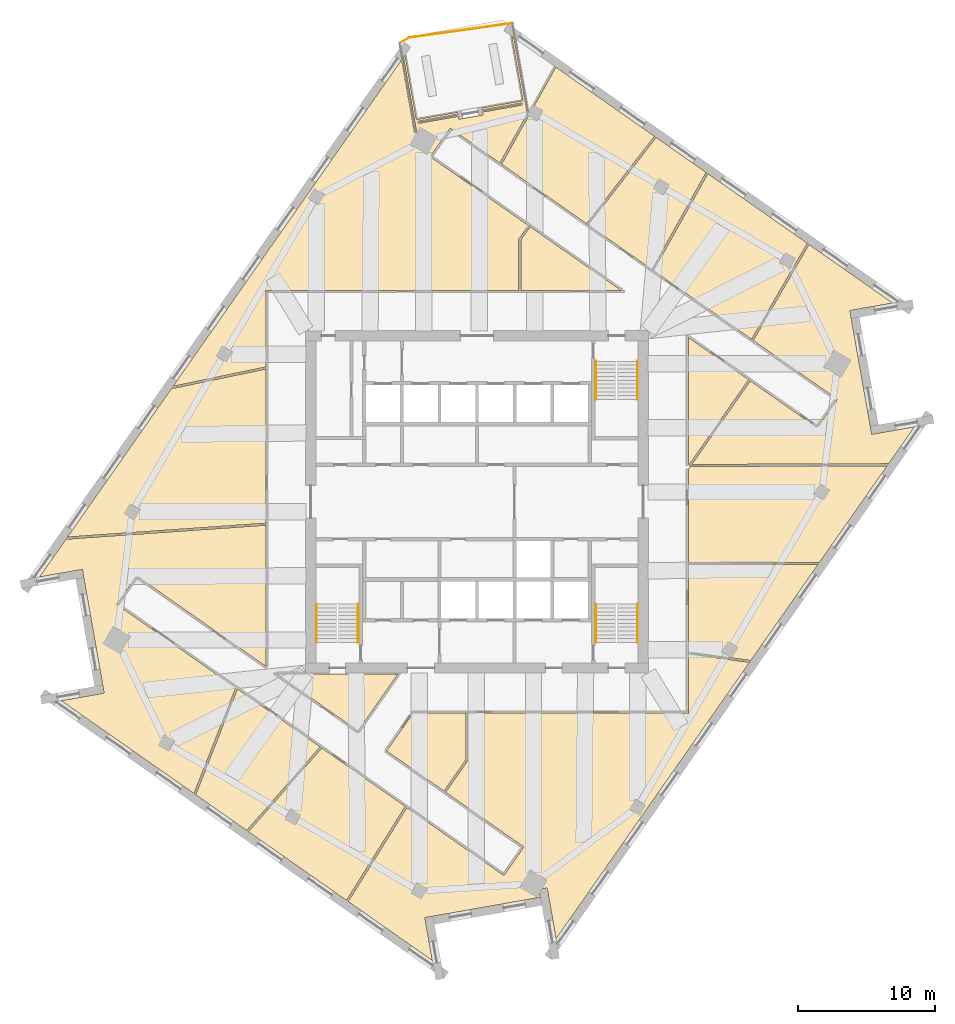
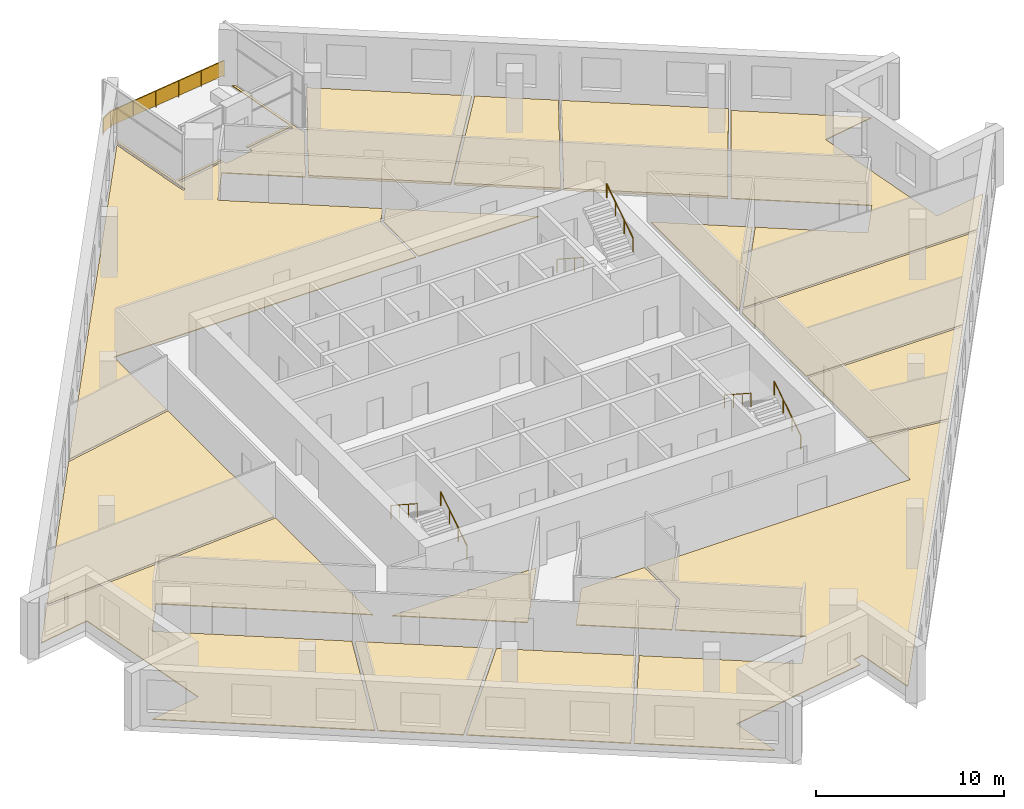
# One storey, part 12 of 13: 16 coverings, 7 railings.
"""IFC4 building model written with IfcOpenShell, lengths in metres."""

import ifcopenshell
import ifcopenshell.guid

model = None  # the IFC model being written
_history = None  # IfcOwnerHistory: only IFC2X3 demands one
_inside = {}  # id of a spatial element -> (the spatial element, [elements in it])
_under = {}  # id of a project, library or spatial element -> (it, [spatial elements below it])
_declared = {}  # id of a project -> (the project, [libraries it declares])
_typed = {}  # id of a type object -> (the type object, [elements of that type])
_made_of = {}  # id of a material, layer set ... -> (it, [elements and type objects made of it])


def new_model(schema):
    """Start an empty IFC model of exactly this schema.

    Asked for "IFC4X3", IfcOpenShell would pick the latest addendum, in which some entities
    have other attributes; the version numbers below select the first issue.
    IFC2X3 requires an IfcOwnerHistory on every rooted entity: one is made here for all.
    """
    global model, _history
    if schema == "IFC4X3":
        model = ifcopenshell.file(schema_version=(4, 3, 0, 0))
    else:
        model = ifcopenshell.file(schema=schema)
    _inside.clear()
    _under.clear()
    _declared.clear()
    _typed.clear()
    _made_of.clear()
    _history = None
    if model.schema == "IFC2X3":
        org = make("IfcOrganization", Name="unknown")
        user = make(
            "IfcPersonAndOrganization",
            ThePerson=make("IfcPerson", FamilyName="unknown"),
            TheOrganization=org,
        )
        app = make(
            "IfcApplication",
            ApplicationDeveloper=org,
            Version="unknown",
            ApplicationFullName="unknown",
            ApplicationIdentifier="unknown",
        )
        _history = make(
            "IfcOwnerHistory",
            OwningUser=user,
            OwningApplication=app,
            ChangeAction="ADDED",
            CreationDate=0,
        )
    return model


def make(cls, **values):
    """One entity of the class cls with the attributes given. An attribute that is None is left unset."""
    return model.create_entity(
        cls, **{name: value for name, value in values.items() if value is not None}
    )


def rooted(cls, **values):
    """An entity with a GlobalId (a new one), such as an element, a storey or a relation."""
    return make(cls, GlobalId=ifcopenshell.guid.new(), OwnerHistory=_history, **values)


def si_unit(unit_type, name, prefix=None):
    """IfcSIUnit, for example si_unit("LENGTHUNIT", "METRE", prefix="MILLI")."""
    return make("IfcSIUnit", UnitType=unit_type, Prefix=prefix, Name=name)


def assignment(units):
    """IfcUnitAssignment: the units of a project."""
    return None if units is None else make("IfcUnitAssignment", Units=units)


def point(xyz):
    """IfcCartesianPoint."""
    return None if xyz is None else make("IfcCartesianPoint", Coordinates=xyz)


def direction(xyz):
    """IfcDirection."""
    return None if xyz is None else make("IfcDirection", DirectionRatios=xyz)


def frame(location, z_axis=None, x_axis=None):
    """IfcAxis2Placement3D, a coordinate frame: its origin and axes. An axis left out is left unset."""
    return make(
        "IfcAxis2Placement3D",
        Location=point(location),
        Axis=direction(z_axis),
        RefDirection=direction(x_axis),
    )


def frame_2d(location, x_axis=None):
    """IfcAxis2Placement2D, a coordinate frame in the plane: its origin and x axis."""
    return make(
        "IfcAxis2Placement2D", Location=point(location), RefDirection=direction(x_axis)
    )


def origin():
    """The frame at (0, 0, 0) with its axes left unset."""
    return frame((0.0, 0.0, 0.0))


def origin_2d():
    """The frame at (0, 0) in the plane with its x axis left unset."""
    return frame_2d((0.0, 0.0))


def place(relative_to, where):
    """IfcLocalPlacement: puts the frame where relative to a parent placement (None: the world)."""
    return make(
        "IfcLocalPlacement", PlacementRelTo=relative_to, RelativePlacement=where
    )


def context(
    kind, dimensions, precision=None, world=None, true_north=None, identifier=None
):
    """IfcGeometricRepresentationContext, for example the 3D "Model" context."""
    return make(
        "IfcGeometricRepresentationContext",
        ContextIdentifier=identifier,
        ContextType=kind,
        CoordinateSpaceDimension=dimensions,
        Precision=precision,
        WorldCoordinateSystem=world,
        TrueNorth=true_north,
    )


def subcontext(parent, identifier, kind, view, scale=None):
    """IfcGeometricRepresentationSubContext, for example "Body" below "Model"."""
    return make(
        "IfcGeometricRepresentationSubContext",
        ContextIdentifier=identifier,
        ContextType=kind,
        ParentContext=parent,
        TargetScale=scale,
        TargetView=view,
    )


def project(units=None, contexts=None):
    """IfcProject with its units and contexts."""
    return rooted(
        "IfcProject",
        Name="project",
        RepresentationContexts=contexts,
        UnitsInContext=assignment(units),
    )


def spatial(cls, under=None, at=None, **own):
    """A site, building, storey or space (cls), placed at a placement, below another one or the project."""
    s = rooted(cls, ObjectPlacement=at, **own)
    if under is not None:
        _under.setdefault(under.id(), (under, []))[1].append(s)
    return s


def polyline(points):
    """IfcPolyline through the points."""
    return make("IfcPolyline", Points=[point(p) for p in points])


def profile(cls, at=None, kind="AREA", **sizes):
    """A parametric profile (cls). Its sizes go by their IFC names, for example OverallWidth=200.0."""
    return make(cls, ProfileType=kind, Position=at, **sizes)


def rectangle(**sizes):
    """IfcRectangleProfileDef."""
    return profile("IfcRectangleProfileDef", **sizes)


def circle(**sizes):
    """IfcCircleProfileDef."""
    return profile("IfcCircleProfileDef", **sizes)


def outline(outer, holes=None, kind="AREA"):
    """IfcArbitraryClosedProfileDef: a profile drawn as a closed curve; with holes, ...WithVoids."""
    if holes is None:
        return make("IfcArbitraryClosedProfileDef", ProfileType=kind, OuterCurve=outer)
    return make(
        "IfcArbitraryProfileDefWithVoids",
        ProfileType=kind,
        OuterCurve=outer,
        InnerCurves=holes,
    )


def extrude(swept, where, along, depth):
    """IfcExtrudedAreaSolid: the profile swept, set in the frame where, extruded along a direction by depth."""
    return make(
        "IfcExtrudedAreaSolid",
        SweptArea=swept,
        Position=where,
        ExtrudedDirection=direction(along),
        Depth=depth,
    )


def shape(context_of_items, identifier, shape_type, items):
    """IfcShapeRepresentation: the items that make up one representation, for example the "Body"."""
    return make(
        "IfcShapeRepresentation",
        ContextOfItems=context_of_items,
        RepresentationIdentifier=identifier,
        RepresentationType=shape_type,
        Items=items,
    )


def material(Name=None, Category=None):
    """IfcMaterial."""
    return make("IfcMaterial", Name=Name, Category=Category)


def layer(
    of_material, thickness, ventilated=None, Name=None, Category=None, Priority=None
):
    """IfcMaterialLayer: one layer of a wall or slab, of a material (None: an air gap)."""
    return make(
        "IfcMaterialLayer",
        Material=of_material,
        LayerThickness=thickness,
        IsVentilated=ventilated,
        Name=Name,
        Category=Category,
        Priority=Priority,
    )


def layer_set(layers, Name=None):
    """IfcMaterialLayerSet."""
    return make("IfcMaterialLayerSet", MaterialLayers=layers, LayerSetName=Name)


def made_of(thing, what):
    """Note that an element or type object is made of a material, layer set ...; save() writes the relation."""
    if what is not None:
        _made_of.setdefault(what.id(), (what, []))[1].append(thing)
    return thing


def type_object(cls, material=None, **own):
    """A type object (cls), such as IfcWallType, which elements share."""
    return made_of(rooted(cls, **own), material)


def element(
    cls,
    number,
    at=None,
    inside=None,
    cuts=None,
    type_object=None,
    material=None,
    context=None,
    identifier="Body",
    shape_type=None,
    held_by="IfcProductDefinitionShape",
    body=None,
    shapes=None,
    **own,
):
    """One element of the class cls, such as IfcWall. Its Tag is "e" and its number.

    at: its placement. inside: the storey or other place that contains it. cuts: it is an
    opening in that element (IfcRelVoidsElement). A single representation is given by context,
    identifier, shape_type and body (its items); several are given by shapes. held_by: the class
    of the entity that holds the representations. save() writes the other relations.
    """
    e = rooted(cls, Tag="e%d" % number, ObjectPlacement=at, **own)
    if body is not None:
        shapes = [shape(context, identifier, shape_type, body)]
    if shapes is not None:
        e.Representation = make(held_by, Representations=shapes)
    if inside is not None:
        _inside.setdefault(inside.id(), (inside, []))[1].append(e)
    if cuts is not None:
        rooted(
            "IfcRelVoidsElement", RelatingBuildingElement=cuts, RelatedOpeningElement=e
        )
    if type_object is not None:
        _typed.setdefault(type_object.id(), (type_object, []))[1].append(e)
    return made_of(e, material)


def aggregate(whole, parts):
    """IfcRelAggregates: a whole, such as a stair, and the parts it consists of."""
    return rooted("IfcRelAggregates", RelatingObject=whole, RelatedObjects=parts)


def save(model, path):
    """Write the relations noted so far, then the file.

    IfcRelAggregates (storeys below a building ...), IfcRelContainedInSpatialStructure (elements
    in a storey), IfcRelDefinesByType, IfcRelAssociatesMaterial and IfcRelDeclares: one each for
    every whole, place, type object, material and project.
    """
    for whole, parts in _under.values():
        aggregate(whole, parts)
    for where, things in _inside.values():
        rooted(
            "IfcRelContainedInSpatialStructure",
            RelatedElements=things,
            RelatingStructure=where,
        )
    for kind, things in _typed.values():
        rooted("IfcRelDefinesByType", RelatedObjects=things, RelatingType=kind)
    for what, things in _made_of.values():
        rooted("IfcRelAssociatesMaterial", RelatedObjects=things, RelatingMaterial=what)
    for by, libraries in _declared.values():
        rooted("IfcRelDeclares", RelatingContext=by, RelatedDefinitions=libraries)
    model.write(path)


model = new_model("IFC4")

# Units and contexts
model_context = context("Model", 3, precision=1e-05, world=origin(), true_north=direction((0.0, 1.0)))
body_context = subcontext(model_context, "Body", "Model", "MODEL_VIEW")
ifc_project = project(units=[si_unit("LENGTHUNIT", "METRE"), si_unit("AREAUNIT", "SQUARE_METRE"), si_unit("VOLUMEUNIT", "CUBIC_METRE"), si_unit("PLANEANGLEUNIT", "RADIAN"), si_unit("MASSUNIT", "GRAM", prefix="KILO")], contexts=[model_context])

# Site, building, storey
site_placement = place(None, origin())
site = spatial("IfcSite", under=ifc_project, at=site_placement, CompositionType="ELEMENT")
building_placement = place(site_placement, origin())
building = spatial("IfcBuilding", under=site, at=building_placement, Name="Dilmun Exchange Tower", CompositionType="ELEMENT")
storey_placement = place(building_placement, frame((0.0, 0.0, 246.89990234375)))
storey = spatial("IfcBuildingStorey", under=building, at=storey_placement, Name="L58", CompositionType="ELEMENT", Elevation=246.89990234375)

# Coverings
ifc_material_1 = material(Name="Carpet floor finish 50")
ifc_layer_1 = layer(ifc_material_1, 0.050048828125)
ifc_layer_set_1 = layer_set([ifc_layer_1], Name="Carpet floor finish 50")
covering_type_1 = type_object("IfcCoveringType", Name="Carpet floor finish 50", PredefinedType="FLOORING", material=ifc_layer_set_1)
covering_1_placement = place(storey_placement, origin())
element("IfcCovering", 1, at=covering_1_placement, inside=storey, type_object=covering_type_1, Name="Carpet floor finish 50 Research library 1", PredefinedType="FLOORING", context=body_context, shape_type="SweptSolid", body=[
    extrude(outline(polyline([(-15.47509765625, -1.712646484375), (-15.47509765625, -12.04638671875), (-24.933837890625, -5.42333984375), (-26.396484375, -7.51220703125), (-17.677734375, -13.6171875), (-20.736328125, -21.368408203125), (-30.45166015625, -14.56591796875), (-27.31787109375, -14.01318359375), (-27.317626953125, -14.01318359375), (-27.3173828125, -14.01318359375), (-27.317138671875, -14.01318359375), (-27.31689453125, -14.012939453125), (-27.31689453125, -14.012939453125), (-27.316650390625, -14.0126953125), (-27.316650390625, -14.0126953125), (-27.31640625, -14.012451171875), (-27.31640625, -14.01220703125), (-27.31640625, -14.01220703125), (-27.316162109375, -14.011962890625), (-27.316162109375, -14.01171875), (-27.316162109375, -14.01171875), (-27.316162109375, -14.011474609375), (-27.316162109375, -14.01123046875), (-27.316162109375, -14.010986328125), (-27.42041015625, -13.42041015625), (-27.42041015625, -13.42041015625), (-27.42041015625, -13.420166015625), (-28.809326171875, -5.5419921875), (-28.809326171875, -5.5419921875), (-28.809326171875, -5.5419921875), (-28.809326171875, -5.541748046875), (-28.91357421875, -4.95068359375), (-28.913818359375, -4.95068359375), (-28.913818359375, -4.950439453125), (-28.913818359375, -4.9501953125), (-28.913818359375, -4.9501953125), (-28.9140625, -4.949951171875), (-28.9140625, -4.94970703125), (-28.914306640625, -4.94970703125), (-28.914306640625, -4.949462890625), (-28.91455078125, -4.949462890625), (-28.914794921875, -4.94921875), (-28.9150390625, -4.94921875), (-28.915283203125, -4.94921875), (-28.915283203125, -4.94921875), (-28.91552734375, -4.94921875), (-28.915771484375, -4.94921875), (-28.916015625, -4.94921875), (-32.0498046875, -5.501708984375), (-30.11279296875, -2.735107421875), (-15.47509765625, -1.712646484375)])), origin(), (0.0, 0.0, 1.0), 0.050048828125),
])
covering_2_placement = place(storey_placement, origin())
element("IfcCovering", 2, at=covering_2_placement, inside=storey, type_object=covering_type_1, Name="Carpet floor finish 50 Regulator office 1", PredefinedType="FLOORING", context=body_context, shape_type="SweptSolid", body=[
    extrude(outline(polyline([(-15.47509765625, 9.7275390625), (-15.47509765625, -1.562255859375), (-30.001953125, -2.5771484375), (-22.3935546875, 8.288818359375), (-15.47509765625, 9.7275390625)])), origin(), (0.0, 0.0, 1.0), 0.050048828125),
])
covering_3_placement = place(storey_placement, origin())
element("IfcCovering", 3, at=covering_3_placement, inside=storey, type_object=covering_type_1, Name="Carpet floor finish 50 Regulator office 2", PredefinedType="FLOORING", context=body_context, shape_type="SweptSolid", body=[
    extrude(outline(polyline([(-17.55126953125, -13.70556640625), (-11.49267578125, -17.94775390625), (-16.87060546875, -24.075439453125), (-20.610107421875, -21.45703125), (-17.55126953125, -13.70556640625)])), origin(), (0.0, 0.0, 1.0), 0.050048828125),
])
covering_4_placement = place(storey_placement, origin())
element("IfcCovering", 4, at=covering_4_placement, inside=storey, type_object=covering_type_1, Name="Carpet floor finish 50 Regulator office 3", PredefinedType="FLOORING", context=body_context, shape_type="SweptSolid", body=[
    extrude(outline(polyline([(-11.369140625, -18.034423828125), (-5.26025390625, -22.311767578125), (-9.55908203125, -29.195068359375), (-16.746826171875, -24.162109375), (-11.369140625, -18.034423828125)])), origin(), (0.0, 0.0, 1.0), 0.050048828125),
])
covering_5_placement = place(storey_placement, origin())
element("IfcCovering", 5, at=covering_5_placement, inside=storey, type_object=covering_type_1, Name="Carpet floor finish 50 Garden lounge", PredefinedType="FLOORING", context=body_context, shape_type="SweptSolid", body=[
    extrude(outline(polyline([(-15.47509765625, 9.880859375), (-22.26806640625, 8.468017578125), (-5.523193359375, 32.382080078125), (-4.575439453125, 27.006103515625), (-4.5751953125, 27.006103515625), (-4.5751953125, 27.005859375), (-4.5751953125, 27.005615234375), (-4.5751953125, 27.00537109375), (-4.574951171875, 27.00537109375), (-4.57470703125, 27.005126953125), (-4.57470703125, 27.0048828125), (-4.574462890625, 27.0048828125), (-4.574462890625, 27.0048828125), (-4.57421875, 27.004638671875), (-4.573974609375, 27.004638671875), (-4.57373046875, 27.004638671875), (-4.573486328125, 27.00439453125), (-4.573486328125, 27.00439453125), (-4.5732421875, 27.00439453125), (-4.572998046875, 27.00439453125), (-4.41552734375, 27.0322265625), (-4.415283203125, 27.032470703125), (-4.4150390625, 27.032470703125), (-4.414794921875, 27.032470703125), (-4.414794921875, 27.03271484375), (-4.41455078125, 27.03271484375), (-4.414306640625, 27.03271484375), (-4.414306640625, 27.032958984375), (-4.414306640625, 27.033203125), (-4.4140625, 27.033203125), (-4.4140625, 27.033447265625), (-4.413818359375, 27.03369140625), (-4.413818359375, 27.033935546875), (-4.413818359375, 27.0341796875), (-4.413818359375, 27.0341796875), (-4.413818359375, 27.034423828125), (-4.413818359375, 27.03466796875), (-5.39013671875, 32.572021484375), (-5.2744140625, 32.737548828125), (-4.441650390625, 28.015380859375), (-1.426025390625, 28.547119140625), (-1.401123046875, 28.40625), (-4.343017578125, 27.8876953125), (-4.343017578125, 27.8876953125), (-4.34326171875, 27.887451171875), (-4.343505859375, 27.887451171875), (-4.34375, 27.887451171875), (-4.34375, 27.88720703125), (-4.343994140625, 27.88720703125), (-4.343994140625, 27.886962890625), (-4.34423828125, 27.88671875), (-4.34423828125, 27.88671875), (-4.344482421875, 27.886474609375), (-4.344482421875, 27.88623046875), (-4.344482421875, 27.885986328125), (-4.344482421875, 27.885986328125), (-4.344482421875, 27.8857421875), (-4.344482421875, 27.885498046875), (-4.344482421875, 27.88525390625), (-4.31689453125, 27.727783203125), (-4.316650390625, 27.7275390625), (-4.316650390625, 27.727294921875), (-4.316650390625, 27.727294921875), (-4.31640625, 27.72705078125), (-4.31640625, 27.726806640625), (-4.31640625, 27.726806640625), (-4.316162109375, 27.7265625), (-4.31591796875, 27.7265625), (-4.31591796875, 27.726318359375), (-4.315673828125, 27.726318359375), (-4.3154296875, 27.726318359375), (-4.315185546875, 27.726318359375), (-4.31494140625, 27.72607421875), (-4.31494140625, 27.72607421875), (-4.314697265625, 27.72607421875), (-4.314453125, 27.72607421875), (-1.372802734375, 28.244873046875), (-1.3349609375, 28.030029296875), (-1.334716796875, 28.02978515625), (-1.334716796875, 28.02978515625), (-1.334716796875, 28.029541015625), (-1.334716796875, 28.029296875), (-1.33447265625, 28.029296875), (-1.334228515625, 28.029052734375), (-1.334228515625, 28.02880859375), (-1.333984375, 28.02880859375), (-1.333984375, 28.02880859375), (-1.333740234375, 28.028564453125), (-1.33349609375, 28.028564453125), (-1.333251953125, 28.028564453125), (-1.3330078125, 28.028564453125), (-1.3330078125, 28.028564453125), (-1.332763671875, 28.028564453125), (-1.33251953125, 28.028564453125), (0.43994140625, 28.341064453125), (0.440185546875, 28.341064453125), (0.4404296875, 28.34130859375), (0.440673828125, 28.34130859375), (0.44091796875, 28.34130859375), (0.44091796875, 28.341552734375), (0.441162109375, 28.341552734375), (0.441162109375, 28.341796875), (0.44140625, 28.341796875), (0.44140625, 28.342041015625), (0.44140625, 28.34228515625), (0.441650390625, 28.34228515625), (0.441650390625, 28.342529296875), (0.441650390625, 28.3427734375), (0.441650390625, 28.343017578125), (0.441650390625, 28.34326171875), (0.441650390625, 28.343505859375), (0.40380859375, 28.55810546875), (3.345458984375, 29.07666015625), (3.345703125, 29.076904296875), (3.345947265625, 29.076904296875), (3.34619140625, 29.076904296875), (3.34619140625, 29.076904296875), (3.346435546875, 29.0771484375), (3.3466796875, 29.077392578125), (3.3466796875, 29.077392578125), (3.3466796875, 29.07763671875), (3.346923828125, 29.07763671875), (3.346923828125, 29.077880859375), (3.34716796875, 29.078125), (3.34716796875, 29.078369140625), (3.34716796875, 29.07861328125), (3.34716796875, 29.07861328125), (3.34716796875, 29.078857421875), (3.34716796875, 29.0791015625), (3.3193359375, 29.236572265625), (3.3193359375, 29.23681640625), (3.3193359375, 29.237060546875), (3.319091796875, 29.2373046875), (3.319091796875, 29.2373046875), (3.319091796875, 29.237548828125), (3.31884765625, 29.23779296875), (3.318603515625, 29.23779296875), (3.318603515625, 29.23779296875), (3.318359375, 29.238037109375), (3.318115234375, 29.238037109375), (3.318115234375, 29.23828125), (3.31787109375, 29.23828125), (3.317626953125, 29.23828125), (3.3173828125, 29.23828125), (3.3173828125, 29.23828125), (3.317138671875, 29.23828125), (0.375244140625, 28.719482421875), (0.3505859375, 28.8603515625), (3.3662109375, 29.39208984375), (2.533447265625, 34.114501953125), (2.69921875, 33.998291015625), (3.666015625, 28.514404296875), (3.666259765625, 28.51416015625), (3.666259765625, 28.513916015625), (3.666259765625, 28.513671875), (3.66650390625, 28.513427734375), (3.66650390625, 28.513427734375), (3.666748046875, 28.51318359375), (3.666748046875, 28.51318359375), (3.6669921875, 28.512939453125), (3.6669921875, 28.512939453125), (3.667236328125, 28.5126953125), (3.66748046875, 28.5126953125), (3.667724609375, 28.5126953125), (3.66796875, 28.5126953125), (3.668212890625, 28.5126953125), (3.668212890625, 28.5126953125), (3.66845703125, 28.5126953125), (3.747314453125, 28.526611328125), (1.675048828125, 24.822265625), (-1.968994140625, 27.373779296875), (-3.431640625, 25.284912109375), (3.765869140625, 20.245361328125), (3.0546875, 19.22998046875), (3.0546875, 15.47509765625), (-15.47509765625, 15.47509765625), (-15.47509765625, 9.880859375)])), origin(), (0.0, 0.0, 1.0), 0.050048828125),
])
covering_6_placement = place(storey_placement, origin())
element("IfcCovering", 6, at=covering_6_placement, inside=storey, type_object=covering_type_1, Name="Carpet floor finish 50 Supervision hall 1", PredefinedType="FLOORING", context=body_context, shape_type="SweptSolid", body=[
    extrude(outline(polyline([(-5.13720703125, -22.39794921875), (1.968994140625, -27.373779296875), (3.431640625, -25.284912109375), (-2.29736328125, -21.2734375), (-0.666259765625, -18.944091796875), (-0.666259765625, -15.47509765625), (15.47509765625, -15.47509765625), (15.47509765625, -11.1435546875), (19.963134765625, -11.760009765625), (5.791748046875, -31.998779296875), (5.1376953125, -28.289306640625), (5.1376953125, -28.2890625), (5.137451171875, -28.288818359375), (5.137451171875, -28.288818359375), (5.13720703125, -28.28857421875), (5.13720703125, -28.288330078125), (5.13720703125, -28.2880859375), (5.136962890625, -28.2880859375), (5.13671875, -28.2880859375), (5.13671875, -28.287841796875), (5.136474609375, -28.287841796875), (5.13623046875, -28.28759765625), (5.135986328125, -28.28759765625), (5.135986328125, -28.28759765625), (5.1357421875, -28.28759765625), (5.135498046875, -28.28759765625), (5.13525390625, -28.28759765625), (4.54443359375, -28.391845703125), (4.544189453125, -28.391845703125), (4.5439453125, -28.391845703125), (4.5439453125, -28.39208984375), (4.543701171875, -28.39208984375), (4.54345703125, -28.39208984375), (4.54345703125, -28.392333984375), (4.543212890625, -28.392578125), (4.543212890625, -28.392578125), (4.54296875, -28.392822265625), (4.54296875, -28.39306640625), (4.54296875, -28.393310546875), (4.542724609375, -28.393310546875), (4.542724609375, -28.3935546875), (4.542724609375, -28.393798828125), (4.542724609375, -28.39404296875), (4.542724609375, -28.39404296875), (4.643798828125, -28.9677734375), (-3.232421875, -30.356689453125), (-3.232666015625, -30.356689453125), (-3.23291015625, -30.356689453125), (-3.23291015625, -30.356689453125), (-3.823486328125, -30.460693359375), (-3.823486328125, -30.4609375), (-3.82373046875, -30.4609375), (-3.823974609375, -30.4609375), (-3.82421875, -30.461181640625), (-3.82421875, -30.461181640625), (-3.824462890625, -30.461181640625), (-3.82470703125, -30.46142578125), (-3.82470703125, -30.461669921875), (-3.82470703125, -30.4619140625), (-3.824951171875, -30.4619140625), (-3.824951171875, -30.462158203125), (-3.824951171875, -30.46240234375), (-3.824951171875, -30.462646484375), (-3.824951171875, -30.462646484375), (-3.824951171875, -30.462890625), (-3.824951171875, -30.463134765625), (-3.2724609375, -33.5966796875), (-9.43603515625, -29.28125), (-5.13720703125, -22.39794921875)])), origin(), (0.0, 0.0, 1.0), 0.050048828125),
])
covering_7_placement = place(storey_placement, origin())
element("IfcCovering", 7, at=covering_7_placement, inside=storey, type_object=covering_type_1, Name="Carpet floor finish 50 Regulator office 4", PredefinedType="FLOORING", context=body_context, shape_type="SweptSolid", body=[
    extrude(outline(polyline([(15.47509765625, -10.991943359375), (15.47509765625, -4.577392578125), (24.974609375, -4.602783203125), (20.059814453125, -11.621826171875), (15.47509765625, -10.991943359375)])), origin(), (0.0, 0.0, 1.0), 0.050048828125),
])
covering_8_placement = place(storey_placement, origin())
element("IfcCovering", 8, at=covering_8_placement, inside=storey, type_object=covering_type_1, Name="Carpet floor finish 50 Research library 2", PredefinedType="FLOORING", context=body_context, shape_type="SweptSolid", body=[
    extrude(outline(polyline([(15.47509765625, -4.427490234375), (15.47509765625, 2.365966796875), (15.631591796875, 2.589599609375), (30.04833984375, 2.6435546875), (25.079345703125, -4.452880859375), (15.47509765625, -4.427490234375)])), origin(), (0.0, 0.0, 1.0), 0.050048828125),
])
covering_9_placement = place(storey_placement, origin())
element("IfcCovering", 9, at=covering_9_placement, inside=storey, type_object=covering_type_1, Name="Carpet floor finish 50 Supervision hall 2", PredefinedType="FLOORING", context=body_context, shape_type="SweptSolid", body=[
    extrude(outline(polyline([(15.737060546875, 2.739990234375), (20.023193359375, 8.861572265625), (24.933837890625, 5.42333984375), (26.396484375, 7.51220703125), (20.236083984375, 11.82568359375), (24.322509765625, 18.857421875), (30.45166015625, 14.56591796875), (27.31787109375, 14.01318359375), (27.317626953125, 14.01318359375), (27.3173828125, 14.01318359375), (27.317138671875, 14.01318359375), (27.31689453125, 14.012939453125), (27.31689453125, 14.012939453125), (27.316650390625, 14.0126953125), (27.316650390625, 14.0126953125), (27.31640625, 14.012451171875), (27.31640625, 14.01220703125), (27.31640625, 14.01220703125), (27.316162109375, 14.011962890625), (27.316162109375, 14.01171875), (27.316162109375, 14.01171875), (27.316162109375, 14.011474609375), (27.316162109375, 14.01123046875), (27.316162109375, 14.010986328125), (27.42041015625, 13.42041015625), (27.42041015625, 13.42041015625), (27.42041015625, 13.420166015625), (28.809326171875, 5.5419921875), (28.809326171875, 5.5419921875), (28.809326171875, 5.5419921875), (28.809326171875, 5.541748046875), (28.91357421875, 4.95068359375), (28.913818359375, 4.95068359375), (28.913818359375, 4.950439453125), (28.913818359375, 4.9501953125), (28.913818359375, 4.9501953125), (28.9140625, 4.949951171875), (28.9140625, 4.94970703125), (28.914306640625, 4.94970703125), (28.914306640625, 4.949462890625), (28.91455078125, 4.949462890625), (28.914794921875, 4.94921875), (28.9150390625, 4.94921875), (28.915283203125, 4.94921875), (28.915283203125, 4.94921875), (28.91552734375, 4.94921875), (28.915771484375, 4.94921875), (28.916015625, 4.94921875), (32.0498046875, 5.501708984375), (30.15380859375, 2.7939453125), (15.737060546875, 2.739990234375)])), origin(), (0.0, 0.0, 1.0), 0.050048828125),
])
ifc_material_2 = material(Name="Raised access floor 150")
ifc_layer_2 = layer(ifc_material_2, 0.14990234375)
ifc_layer_set_2 = layer_set([ifc_layer_2], Name="Raised access floor 150")
covering_type_2 = type_object("IfcCoveringType", Name="Raised access floor 150", PredefinedType="FLOORING", material=ifc_layer_set_2)
covering_10_placement = place(storey_placement, origin())
element("IfcCovering", 10, at=covering_10_placement, inside=storey, type_object=covering_type_2, Name="Raised access floor 150 Analytics room 1", PredefinedType="FLOORING", context=body_context, shape_type="SweptSolid", body=[
    extrude(outline(polyline([(1.798583984375, 24.73583984375), (5.775390625, 31.844482421875), (13.001220703125, 26.784912109375), (8.025634765625, 20.37548828125), (1.798583984375, 24.73583984375)])), origin(), (0.0, 0.0, 1.0), 0.150146484375),
])
covering_11_placement = place(storey_placement, origin())
element("IfcCovering", 11, at=covering_11_placement, inside=storey, type_object=covering_type_2, Name="Raised access floor 150 Analytics room 2", PredefinedType="FLOORING", context=body_context, shape_type="SweptSolid", body=[
    extrude(outline(polyline([(12.8115234375, 17.0244140625), (8.148681640625, 20.289306640625), (13.124267578125, 26.698486328125), (16.785400390625, 24.13525390625), (12.8115234375, 17.0244140625)])), origin(), (0.0, 0.0, 1.0), 0.150146484375),
])
covering_12_placement = place(storey_placement, origin())
element("IfcCovering", 12, at=covering_12_placement, inside=storey, type_object=covering_type_2, Name="Raised access floor 150 Analytics room 3", PredefinedType="FLOORING", context=body_context, shape_type="SweptSolid", body=[
    extrude(outline(polyline([(20.11279296875, 11.912109375), (12.93505859375, 16.93798828125), (16.90869140625, 24.048583984375), (24.19921875, 18.94384765625), (20.11279296875, 11.912109375)])), origin(), (0.0, 0.0, 1.0), 0.150146484375),
])

# Railings
ifc_material_3 = material(Name="Stainless steel", Category="steel")
railing_type_1 = type_object("IfcRailingType", Name="Stair handrail 900", PredefinedType="HANDRAIL", material=ifc_material_3)
railing_1_placement = place(storey_placement, frame((8.699951171875, 10.300048828125, 0.181884765625)))
element("IfcRailing", 13, at=railing_1_placement, inside=storey, type_object=railing_type_1, Name="L58 ST1 stair handrail 1", PredefinedType="HANDRAIL", context=body_context, shape_type="SweptSolid", body=[
    extrude(circle(Radius=0.02392578125, at=origin_2d()), frame((0.0, 0.0, 0.8759765625), z_axis=(0.0, -0.838705829183, 0.544584733623), x_axis=(1.0, 0.0, 0.0)), (0.0, 0.0, 1.0), 3.338623046875),
    extrude(circle(Radius=0.02099609375, at=origin_2d()), origin(), (0.0, 0.0, 1.0), 0.851806640625),
    extrude(circle(Radius=0.02099609375, at=origin_2d()), frame((0.0, -0.933349609375, 0.60595703125)), (0.0, 0.0, 1.0), 0.851806640625),
    extrude(circle(Radius=0.02099609375, at=origin_2d()), frame((0.0, -1.86669921875, 1.212158203125)), (0.0, 0.0, 1.0), 0.851806640625),
    extrude(circle(Radius=0.02099609375, at=origin_2d()), frame((0.0, -2.800048828125, 1.818115234375)), (0.0, 0.0, 1.0), 0.851806640625),
])
for number, where, name in (
    (14, (11.75, 7.5, 2.181884765625), "L58 ST1 stair handrail 2"),
    (15, (-8.699951171875, -10.300048828125, 0.181884765625), "L58 ST2 stair handrail 1"),
):
    element("IfcRailing", number, at=place(storey_placement, frame(where)), inside=storey, type_object=railing_type_1, Name=name, PredefinedType="HANDRAIL", context=body_context, shape_type="SweptSolid", body=[
        extrude(circle(Radius=0.02392578125, at=origin_2d()), frame((0.0, 0.0, 0.8759765625), z_axis=(0.0, 0.838705829183, 0.544584733623), x_axis=(-1.0, 0.0, 0.0)), (0.0, 0.0, 1.0), 3.338623046875),
        extrude(circle(Radius=0.02099609375, at=origin_2d()), origin(), (0.0, 0.0, 1.0), 0.851806640625),
        extrude(circle(Radius=0.02099609375, at=origin_2d()), frame((0.0, 0.933349609375, 0.60595703125)), (0.0, 0.0, 1.0), 0.851806640625),
        extrude(circle(Radius=0.02099609375, at=origin_2d()), frame((0.0, 1.86669921875, 1.212158203125)), (0.0, 0.0, 1.0), 0.851806640625),
        extrude(circle(Radius=0.02099609375, at=origin_2d()), frame((0.0, 2.800048828125, 1.818115234375)), (0.0, 0.0, 1.0), 0.851806640625),
    ])
railing_2_placement = place(storey_placement, frame((-11.75, -7.5, 2.181884765625)))
element("IfcRailing", 16, at=railing_2_placement, inside=storey, type_object=railing_type_1, Name="L58 ST2 stair handrail 2", PredefinedType="HANDRAIL", context=body_context, shape_type="SweptSolid", body=[
    extrude(circle(Radius=0.02392578125, at=origin_2d()), frame((0.0, 0.0, 0.8759765625), z_axis=(0.0, -0.838705829183, 0.544584733623), x_axis=(1.0, 0.0, 0.0)), (0.0, 0.0, 1.0), 3.338623046875),
    extrude(circle(Radius=0.02099609375, at=origin_2d()), origin(), (0.0, 0.0, 1.0), 0.851806640625),
    extrude(circle(Radius=0.02099609375, at=origin_2d()), frame((0.0, -0.933349609375, 0.60595703125)), (0.0, 0.0, 1.0), 0.851806640625),
    extrude(circle(Radius=0.02099609375, at=origin_2d()), frame((0.0, -1.86669921875, 1.212158203125)), (0.0, 0.0, 1.0), 0.851806640625),
    extrude(circle(Radius=0.02099609375, at=origin_2d()), frame((0.0, -2.800048828125, 1.818115234375)), (0.0, 0.0, 1.0), 0.851806640625),
])
railing_3_placement = place(storey_placement, frame((11.75, -10.300048828125, 0.181884765625)))
element("IfcRailing", 17, at=railing_3_placement, inside=storey, type_object=railing_type_1, Name="L58 ST3 stair handrail 1", PredefinedType="HANDRAIL", context=body_context, shape_type="SweptSolid", body=[
    extrude(circle(Radius=0.02392578125, at=origin_2d()), frame((0.0, 0.0, 0.8759765625), z_axis=(0.0, 0.838705829183, 0.544584733623), x_axis=(-1.0, 0.0, 0.0)), (0.0, 0.0, 1.0), 3.338623046875),
    extrude(circle(Radius=0.02099609375, at=origin_2d()), origin(), (0.0, 0.0, 1.0), 0.851806640625),
    extrude(circle(Radius=0.02099609375, at=origin_2d()), frame((0.0, 0.933349609375, 0.60595703125)), (0.0, 0.0, 1.0), 0.851806640625),
    extrude(circle(Radius=0.02099609375, at=origin_2d()), frame((0.0, 1.86669921875, 1.212158203125)), (0.0, 0.0, 1.0), 0.851806640625),
    extrude(circle(Radius=0.02099609375, at=origin_2d()), frame((0.0, 2.800048828125, 1.818115234375)), (0.0, 0.0, 1.0), 0.851806640625),
])
railing_4_placement = place(storey_placement, frame((8.699951171875, -7.5, 2.181884765625)))
element("IfcRailing", 18, at=railing_4_placement, inside=storey, type_object=railing_type_1, Name="L58 ST3 stair handrail 2", PredefinedType="HANDRAIL", context=body_context, shape_type="SweptSolid", body=[
    extrude(circle(Radius=0.02392578125, at=origin_2d()), frame((0.0, 0.0, 0.8759765625), z_axis=(0.0, -0.838705829183, 0.544584733623), x_axis=(1.0, 0.0, 0.0)), (0.0, 0.0, 1.0), 3.338623046875),
    extrude(circle(Radius=0.02099609375, at=origin_2d()), origin(), (0.0, 0.0, 1.0), 0.851806640625),
    extrude(circle(Radius=0.02099609375, at=origin_2d()), frame((0.0, -0.933349609375, 0.60595703125)), (0.0, 0.0, 1.0), 0.851806640625),
    extrude(circle(Radius=0.02099609375, at=origin_2d()), frame((0.0, -1.86669921875, 1.212158203125)), (0.0, 0.0, 1.0), 0.851806640625),
    extrude(circle(Radius=0.02099609375, at=origin_2d()), frame((0.0, -2.800048828125, 1.818115234375)), (0.0, 0.0, 1.0), 0.851806640625),
])

# Covering
ifc_material_4 = material(Name="Stone floor finish 50", Category="masonry")
ifc_layer_3 = layer(ifc_material_4, 0.050048828125)
ifc_layer_set_3 = layer_set([ifc_layer_3], Name="Stone floor finish 50")
covering_type_3 = type_object("IfcCoveringType", Name="Stone floor finish 50", PredefinedType="FLOORING", material=ifc_layer_set_3)
covering_13_placement = place(storey_placement, origin())
element("IfcCovering", 19, at=covering_13_placement, inside=storey, type_object=covering_type_3, Name="Stone floor finish 50 Reception", PredefinedType="FLOORING", context=body_context, shape_type="SweptSolid", body=[
    extrude(outline(polyline([(-0.816162109375, -18.896728515625), (-2.420166015625, -21.1875), (-6.62353515625, -18.244384765625), (-4.6845703125, -15.47509765625), (-0.816162109375, -15.47509765625), (-0.816162109375, -18.896728515625)])), origin(), (0.0, 0.0, 1.0), 0.050048828125),
])

# Railing
railing_type_2 = type_object("IfcRailingType", Name="Terrace guard 1100 stainless steel", PredefinedType="GUARDRAIL", material=ifc_material_3)
railing_5_placement = place(storey_placement, frame((-5.65673828125, 33.61083984375, 0.0)))
element("IfcRailing", 20, at=railing_5_placement, inside=storey, type_object=railing_type_2, Name="Terrace guard 1", PredefinedType="GUARDRAIL", context=body_context, shape_type="SweptSolid", body=[
    extrude(circle(Radius=0.02392578125, at=origin_2d()), frame((0.0, 0.0, 1.076171875), z_axis=(0.863187603129, 0.504883315038, 0.0), x_axis=(-0.504883315038, 0.863187603129, 0.0)), (0.0, 0.0, 1.0), 0.79443359375),
    extrude(rectangle(XDim=0.011962890625, YDim=0.951904296875, at=origin_2d()), frame((0.0, 0.0, 0.576171875), z_axis=(0.863187603129, 0.504883315038, 0.0), x_axis=(-0.504883315038, 0.863187603129, 0.0)), (0.0, 0.0, 1.0), 0.79443359375),
    extrude(circle(Radius=0.02392578125, at=origin_2d()), frame((0.685791015625, 0.401123046875, 1.076171875), z_axis=(0.990438846295, 0.137952498164, 0.0), x_axis=(-0.137952498164, 0.990438846295, 0.0)), (0.0, 0.0, 1.0), 7.63818359375),
    extrude(rectangle(XDim=0.011962890625, YDim=0.951904296875, at=origin_2d()), frame((0.685791015625, 0.401123046875, 0.576171875), z_axis=(0.990438846295, 0.137952498164, 0.0), x_axis=(-0.137952498164, 0.990438846295, 0.0)), (0.0, 0.0, 1.0), 7.63818359375),
    extrude(circle(Radius=0.02099609375, at=origin_2d()), origin(), (0.0, 0.0, 1.0), 1.052001953125),
    extrude(circle(Radius=0.02099609375, at=origin_2d()), frame((0.685791015625, 0.401123046875, 0.0)), (0.0, 0.0, 1.0), 1.052001953125),
    extrude(circle(Radius=0.02099609375, at=origin_2d()), frame((2.19873046875, 0.61181640625, 0.0)), (0.0, 0.0, 1.0), 1.052001953125),
    extrude(circle(Radius=0.02099609375, at=origin_2d()), frame((3.7119140625, 0.822509765625, 0.0)), (0.0, 0.0, 1.0), 1.052001953125),
    extrude(circle(Radius=0.02099609375, at=origin_2d()), frame((5.224853515625, 1.033447265625, 0.0)), (0.0, 0.0, 1.0), 1.052001953125),
    extrude(circle(Radius=0.02099609375, at=origin_2d()), frame((6.738037109375, 1.244140625, 0.0)), (0.0, 0.0, 1.0), 1.052001953125),
    extrude(circle(Radius=0.02099609375, at=origin_2d()), frame((8.2509765625, 1.454833984375, 0.0)), (0.0, 0.0, 1.0), 1.052001953125),
])

# Coverings
ifc_material_5 = material(Name="Tile floor finish 50")
ifc_layer_4 = layer(ifc_material_5, 0.050048828125)
ifc_layer_set_4 = layer_set([ifc_layer_4], Name="Tile floor finish 50")
covering_type_4 = type_object("IfcCoveringType", Name="Tile floor finish 50", PredefinedType="FLOORING", material=ifc_layer_set_4)
covering_14_placement = place(storey_placement, origin())
element("IfcCovering", 21, at=covering_14_placement, inside=storey, type_object=covering_type_4, Name="Tile floor finish 50 Pantry 1", PredefinedType="FLOORING", context=body_context, shape_type="SweptSolid", body=[
    extrude(outline(polyline([(-5.802001953125, -12.625), (-8.71240234375, -16.781494140625), (-14.648681640625, -12.625), (-5.802001953125, -12.625)])), origin(), (0.0, 0.0, 1.0), 0.050048828125),
])
covering_15_placement = place(storey_placement, origin())
element("IfcCovering", 22, at=covering_15_placement, inside=storey, type_object=covering_type_4, Name="Tile floor finish 50 Pantry 2", PredefinedType="FLOORING", context=body_context, shape_type="SweptSolid", body=[
    extrude(outline(polyline([(3.204833984375, 15.47509765625), (3.204833984375, 19.1826171875), (3.888671875, 20.1591796875), (10.57861328125, 15.47509765625), (3.204833984375, 15.47509765625)])), origin(), (0.0, 0.0, 1.0), 0.050048828125),
])
covering_16_placement = place(storey_placement, origin())
element("IfcCovering", 23, at=covering_16_placement, inside=storey, type_object=covering_type_4, Name="Tile floor finish 50 Pantry 3", PredefinedType="FLOORING", context=body_context, shape_type="SweptSolid", body=[
    extrude(outline(polyline([(19.900390625, 8.94775390625), (15.553466796875, 2.739501953125), (15.47509765625, 2.739013671875), (15.47509765625, 12.04638671875), (19.900390625, 8.94775390625)])), origin(), (0.0, 0.0, 1.0), 0.050048828125),
])

save(model, "model.ifc")
